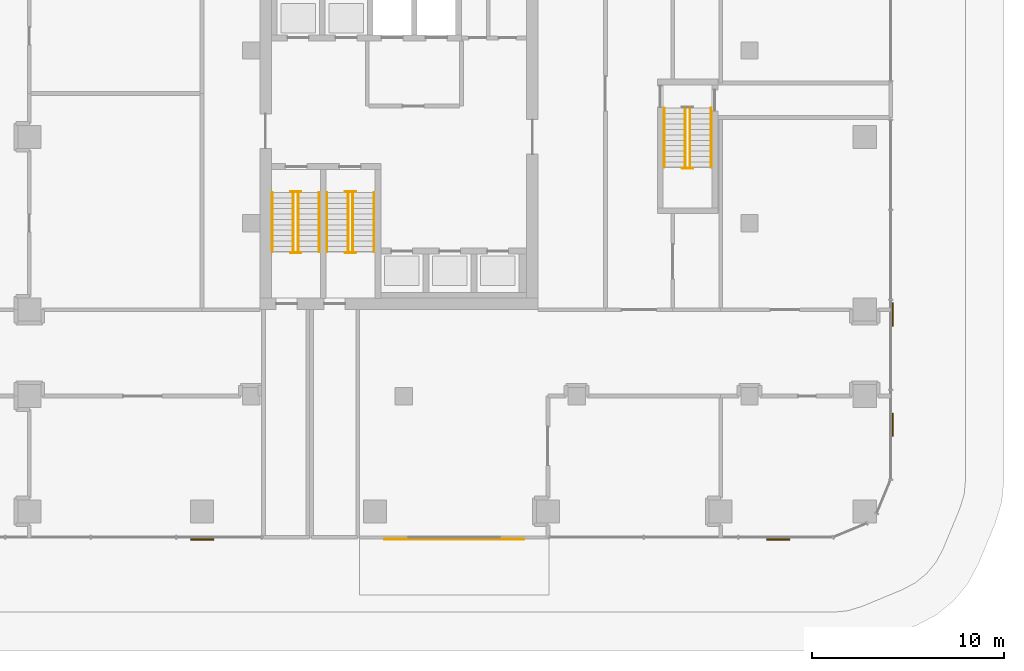
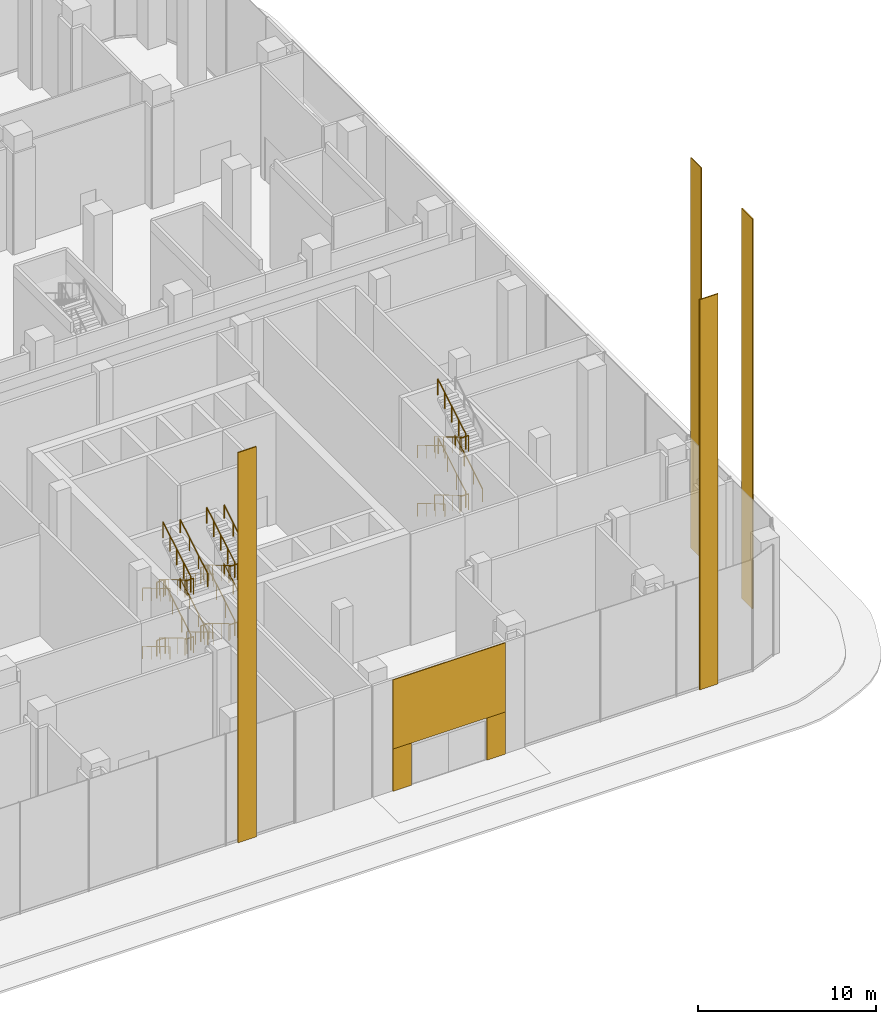
# One storey, part 35 of 42: 33 railings, 7 coverings.
"""IFC4 building model written with IfcOpenShell, lengths in metres."""

from ifc_helpers import new_model, si_unit, direction, frame, origin, origin_2d, place, context, subcontext, project, spatial, rectangle, circle, extrude, material, layer, layer_set, type_object, element, save


model = new_model("IFC4")

# Units and contexts
model_context = context("Model", 3, precision=1e-05, world=origin(), true_north=direction((0.0, 1.0)))
body_context = subcontext(model_context, "Body", "Model", "MODEL_VIEW")
ifc_project = project(units=[si_unit("LENGTHUNIT", "METRE"), si_unit("AREAUNIT", "SQUARE_METRE"), si_unit("VOLUMEUNIT", "CUBIC_METRE"), si_unit("PLANEANGLEUNIT", "RADIAN"), si_unit("MASSUNIT", "GRAM", prefix="KILO")], contexts=[model_context])

# Site, building, storey
site_placement = place(None, origin())
site = spatial("IfcSite", under=ifc_project, at=site_placement, CompositionType="ELEMENT")
building_placement = place(site_placement, origin())
building = spatial("IfcBuilding", under=site, at=building_placement, Name="Plateau Cross Towers", CompositionType="ELEMENT")
storey_placement = place(building_placement, origin())
storey = spatial("IfcBuildingStorey", under=building, at=storey_placement, Name="L00", CompositionType="ELEMENT", Elevation=0.0)

# Coverings
ifc_material_1 = material(Name="Aluminium composite cladding", Category="aluminium")
ifc_layer_1 = layer(ifc_material_1, 0.050048828125)
ifc_layer_set_1 = layer_set([ifc_layer_1], Name="Aluminium composite cladding")
covering_type_1 = type_object("IfcCoveringType", Name="Entrance surround board 50", PredefinedType="CLADDING", material=ifc_layer_set_1)
covering_placement = place(storey_placement, frame((85.1298828125, -11.955078125, 2.89990234375), z_axis=(0.0, 0.0, 1.0), x_axis=(1.0, 0.0, 0.0)))
element("IfcCovering", 1, at=covering_placement, inside=storey, type_object=covering_type_1, Name="Entrance lobby-B head fascia", PredefinedType="CLADDING", context=body_context, shape_type="SweptSolid", body=[
    extrude(rectangle(XDim=7.300048828125, YDim=0.050048828125, at=origin_2d()), origin(), (0.0, 0.0, 1.0), 4.75),
])
for number, where, z_axis, x_axis, name in (
    (2, (82.080078125, -11.955078125, 0.0), (0.0, 0.0, 1.0), (1.0, 0.0, 0.0), "Entrance lobby-B pier"),
    (3, (88.179931640625, -11.955078125, 0.0), (0.0, 0.0, 1.0), (1.0, 0.0, 0.0), "Entrance lobby-B pier"),
):
    element("IfcCovering", number, at=place(storey_placement, frame(where, z_axis=z_axis, x_axis=x_axis)), inside=storey, type_object=covering_type_1, Name=name, PredefinedType="CLADDING", context=body_context, shape_type="SweptSolid", body=[
        extrude(rectangle(XDim=1.199951171875, YDim=0.050048828125, at=origin_2d()), origin(), (0.0, 0.0, 1.0), 2.89990234375),
    ])
ifc_layer_2 = layer(ifc_material_1, 0.070068359375)
ifc_layer_set_2 = layer_set([ifc_layer_2], Name="Aluminium composite cladding")
covering_type_2 = type_object("IfcCoveringType", Name="Podium pier cladding 1200", PredefinedType="CLADDING", material=ifc_layer_set_2)
for number, where, z_axis, x_axis, name in (
    (4, (107.9599609375, -6.0, 0.0), (0.0, 0.0, 1.0), (0.0, 1.0, 0.0), "Podium pier E1"),
    (5, (107.9599609375, -0.25, 0.0), (0.0, 0.0, 1.0), (0.0, 1.0, 0.0), "Podium pier E2"),
    (6, (72.0, -11.9599609375, 0.0), (0.0, 0.0, 1.0), (1.0, 0.0, 0.0), "Podium pier S5"),
    (7, (102.0, -11.9599609375, 0.0), (0.0, 0.0, 1.0), (1.0, 0.0, 0.0), "Podium pier S7"),
):
    element("IfcCovering", number, at=place(storey_placement, frame(where, z_axis=z_axis, x_axis=x_axis)), inside=storey, type_object=covering_type_2, Name=name, PredefinedType="CLADDING", context=body_context, shape_type="SweptSolid", body=[
        extrude(rectangle(XDim=1.199951171875, YDim=0.070068359375, at=origin_2d()), origin(), (0.0, 0.0, 1.0), 26.800048828125),
    ])

# Railings
ifc_material_2 = material(Name="Stainless steel and toughened glass", Category="steel")
railing_type_1 = type_object("IfcRailingType", Name="RL-GUARD-1100", PredefinedType="GUARDRAIL", material=ifc_material_2)
railing_1_placement = place(storey_placement, frame((76.75, 6.10009765625, 0.166748046875)))
element("IfcRailing", 8, at=railing_1_placement, inside=storey, type_object=railing_type_1, Name="L00 SB-1 stair guard 1", PredefinedType="GUARDRAIL", context=body_context, shape_type="SweptSolid", body=[
    extrude(circle(Radius=0.02392578125, at=origin_2d()), frame((0.0, 0.0, 1.076171875), z_axis=(0.0, -0.859308565015, 0.511457515432), x_axis=(1.0, 0.0, 0.0)), (0.0, 0.0, 1.0), 3.58447265625),
    extrude(circle(Radius=0.02099609375, at=origin_2d()), origin(), (0.0, 0.0, 1.0), 1.052001953125),
    extrude(circle(Radius=0.02099609375, at=origin_2d()), frame((0.0, -1.026611328125, 0.611083984375)), (0.0, 0.0, 1.0), 1.052001953125),
    extrude(circle(Radius=0.02099609375, at=origin_2d()), frame((0.0, -2.053466796875, 1.22216796875)), (0.0, 0.0, 1.0), 1.052001953125),
    extrude(circle(Radius=0.02099609375, at=origin_2d()), frame((0.0, -3.080078125, 1.833251953125)), (0.0, 0.0, 1.0), 1.052001953125),
])
railing_2_placement = place(storey_placement, frame((76.60009765625, 2.969970703125, 2.0)))
element("IfcRailing", 9, at=railing_2_placement, inside=storey, type_object=railing_type_1, Name="L00 SB-1 stair guard 2", PredefinedType="GUARDRAIL", context=body_context, shape_type="SweptSolid", body=[
    extrude(circle(Radius=0.02392578125, at=origin_2d()), frame((0.0, 0.0, 1.076171875), z_axis=(1.0, 0.0, 0.0), x_axis=(0.0, 1.0, 0.0)), (0.0, 0.0, 1.0), 0.5498046875),
    extrude(circle(Radius=0.02099609375, at=origin_2d()), origin(), (0.0, 0.0, 1.0), 1.052001953125),
    extrude(circle(Radius=0.02099609375, at=origin_2d()), frame((0.5498046875, 0.0, 0.0)), (0.0, 0.0, 1.0), 1.052001953125),
])
railing_3_placement = place(storey_placement, frame((77.0, 3.02001953125, 2.166748046875)))
element("IfcRailing", 10, at=railing_3_placement, inside=storey, type_object=railing_type_1, Name="L00 SB-1 stair guard 3", PredefinedType="GUARDRAIL", context=body_context, shape_type="SweptSolid", body=[
    extrude(circle(Radius=0.02392578125, at=origin_2d()), frame((0.0, 0.0, 1.076171875), z_axis=(0.0, 0.859308565015, 0.511457515432), x_axis=(-1.0, 0.0, 0.0)), (0.0, 0.0, 1.0), 3.58447265625),
    extrude(circle(Radius=0.02099609375, at=origin_2d()), origin(), (0.0, 0.0, 1.0), 1.052001953125),
    extrude(circle(Radius=0.02099609375, at=origin_2d()), frame((0.0, 1.026611328125, 0.611083984375)), (0.0, 0.0, 1.0), 1.052001953125),
    extrude(circle(Radius=0.02099609375, at=origin_2d()), frame((0.0, 2.053466796875, 1.22216796875)), (0.0, 0.0, 1.0), 1.052001953125),
    extrude(circle(Radius=0.02099609375, at=origin_2d()), frame((0.0, 3.080078125, 1.833251953125)), (0.0, 0.0, 1.0), 1.052001953125),
])
railing_4_placement = place(storey_placement, frame((76.60009765625, 6.14990234375, 4.0)))
element("IfcRailing", 11, at=railing_4_placement, inside=storey, type_object=railing_type_1, Name="L00 SB-1 stair guard 4", PredefinedType="GUARDRAIL", context=body_context, shape_type="SweptSolid", body=[
    extrude(circle(Radius=0.02392578125, at=origin_2d()), frame((0.0, 0.0, 1.076171875), z_axis=(1.0, 0.0, 0.0), x_axis=(0.0, 1.0, 0.0)), (0.0, 0.0, 1.0), 0.5498046875),
    extrude(circle(Radius=0.02099609375, at=origin_2d()), origin(), (0.0, 0.0, 1.0), 1.052001953125),
    extrude(circle(Radius=0.02099609375, at=origin_2d()), frame((0.5498046875, 0.0, 0.0)), (0.0, 0.0, 1.0), 1.052001953125),
])
railing_5_placement = place(storey_placement, frame((76.75, 6.10009765625, 4.166748046875)))
element("IfcRailing", 12, at=railing_5_placement, inside=storey, type_object=railing_type_1, Name="L00 SB-1 stair guard 5", PredefinedType="GUARDRAIL", context=body_context, shape_type="SweptSolid", body=[
    extrude(circle(Radius=0.02392578125, at=origin_2d()), frame((0.0, 0.0, 1.076171875), z_axis=(0.0, -0.859308565015, 0.511457515432), x_axis=(1.0, 0.0, 0.0)), (0.0, 0.0, 1.0), 3.58447265625),
    extrude(circle(Radius=0.02099609375, at=origin_2d()), origin(), (0.0, 0.0, 1.0), 1.052001953125),
    extrude(circle(Radius=0.02099609375, at=origin_2d()), frame((0.0, -1.026611328125, 0.611083984375)), (0.0, 0.0, 1.0), 1.052001953125),
    extrude(circle(Radius=0.02099609375, at=origin_2d()), frame((0.0, -2.053466796875, 1.22216796875)), (0.0, 0.0, 1.0), 1.052001953125),
    extrude(circle(Radius=0.02099609375, at=origin_2d()), frame((0.0, -3.080078125, 1.833251953125)), (0.0, 0.0, 1.0), 1.052001953125),
])
railing_6_placement = place(storey_placement, frame((76.60009765625, 2.969970703125, 6.0)))
element("IfcRailing", 13, at=railing_6_placement, inside=storey, type_object=railing_type_1, Name="L00 SB-1 stair guard 6", PredefinedType="GUARDRAIL", context=body_context, shape_type="SweptSolid", body=[
    extrude(circle(Radius=0.02392578125, at=origin_2d()), frame((0.0, 0.0, 1.076171875), z_axis=(1.0, 0.0, 0.0), x_axis=(0.0, 1.0, 0.0)), (0.0, 0.0, 1.0), 0.5498046875),
    extrude(circle(Radius=0.02099609375, at=origin_2d()), origin(), (0.0, 0.0, 1.0), 1.052001953125),
    extrude(circle(Radius=0.02099609375, at=origin_2d()), frame((0.5498046875, 0.0, 0.0)), (0.0, 0.0, 1.0), 1.052001953125),
])
railing_7_placement = place(storey_placement, frame((77.0, 3.02001953125, 6.166748046875)))
element("IfcRailing", 14, at=railing_7_placement, inside=storey, type_object=railing_type_1, Name="L00 SB-1 stair guard 7", PredefinedType="GUARDRAIL", context=body_context, shape_type="SweptSolid", body=[
    extrude(circle(Radius=0.02392578125, at=origin_2d()), frame((0.0, 0.0, 1.076171875), z_axis=(0.0, 0.862879167799, 0.505410270749), x_axis=(-1.0, 0.0, 0.0)), (0.0, 0.0, 1.0), 3.627197265625),
    extrude(circle(Radius=0.02099609375, at=origin_2d()), origin(), (0.0, 0.0, 1.0), 1.052001953125),
    extrude(circle(Radius=0.02099609375, at=origin_2d()), frame((0.0, 0.782470703125, 0.458251953125)), (0.0, 0.0, 1.0), 1.052001953125),
    extrude(circle(Radius=0.02099609375, at=origin_2d()), frame((0.0, 1.56494140625, 0.91650390625)), (0.0, 0.0, 1.0), 1.052001953125),
    extrude(circle(Radius=0.02099609375, at=origin_2d()), frame((0.0, 2.347412109375, 1.375)), (0.0, 0.0, 1.0), 1.052001953125),
    extrude(circle(Radius=0.02099609375, at=origin_2d()), frame((0.0, 3.1298828125, 1.833251953125)), (0.0, 0.0, 1.0), 1.052001953125),
])
railing_8_placement = place(storey_placement, frame((76.60009765625, 6.14990234375, 0.0)))
element("IfcRailing", 15, at=railing_8_placement, inside=storey, type_object=railing_type_1, Name="L00 SB-1 stair guard 8", PredefinedType="GUARDRAIL", context=body_context, shape_type="SweptSolid", body=[
    extrude(circle(Radius=0.02392578125, at=origin_2d()), frame((0.0, 0.0, 1.076171875), z_axis=(1.0, 0.0, 0.0), x_axis=(0.0, 1.0, 0.0)), (0.0, 0.0, 1.0), 0.5498046875),
    extrude(circle(Radius=0.02099609375, at=origin_2d()), origin(), (0.0, 0.0, 1.0), 1.052001953125),
    extrude(circle(Radius=0.02099609375, at=origin_2d()), frame((0.5498046875, 0.0, 0.0)), (0.0, 0.0, 1.0), 1.052001953125),
])
railing_9_placement = place(storey_placement, frame((79.60009765625, 6.10009765625, 0.166748046875)))
element("IfcRailing", 16, at=railing_9_placement, inside=storey, type_object=railing_type_1, Name="L00 SB-2 stair guard 1", PredefinedType="GUARDRAIL", context=body_context, shape_type="SweptSolid", body=[
    extrude(circle(Radius=0.02392578125, at=origin_2d()), frame((0.0, 0.0, 1.076171875), z_axis=(0.0, -0.859308565015, 0.511457515432), x_axis=(1.0, 0.0, 0.0)), (0.0, 0.0, 1.0), 3.58447265625),
    extrude(circle(Radius=0.02099609375, at=origin_2d()), origin(), (0.0, 0.0, 1.0), 1.052001953125),
    extrude(circle(Radius=0.02099609375, at=origin_2d()), frame((0.0, -1.026611328125, 0.611083984375)), (0.0, 0.0, 1.0), 1.052001953125),
    extrude(circle(Radius=0.02099609375, at=origin_2d()), frame((0.0, -2.053466796875, 1.22216796875)), (0.0, 0.0, 1.0), 1.052001953125),
    extrude(circle(Radius=0.02099609375, at=origin_2d()), frame((0.0, -3.080078125, 1.833251953125)), (0.0, 0.0, 1.0), 1.052001953125),
])
railing_10_placement = place(storey_placement, frame((79.449951171875, 2.969970703125, 2.0)))
element("IfcRailing", 17, at=railing_10_placement, inside=storey, type_object=railing_type_1, Name="L00 SB-2 stair guard 2", PredefinedType="GUARDRAIL", context=body_context, shape_type="SweptSolid", body=[
    extrude(circle(Radius=0.02392578125, at=origin_2d()), frame((0.0, 0.0, 1.076171875), z_axis=(1.0, 0.0, 0.0), x_axis=(0.0, 1.0, 0.0)), (0.0, 0.0, 1.0), 0.550048828125),
    extrude(circle(Radius=0.02099609375, at=origin_2d()), origin(), (0.0, 0.0, 1.0), 1.052001953125),
    extrude(circle(Radius=0.02099609375, at=origin_2d()), frame((0.550048828125, 0.0, 0.0)), (0.0, 0.0, 1.0), 1.052001953125),
])
railing_11_placement = place(storey_placement, frame((79.85009765625, 3.02001953125, 2.166748046875)))
element("IfcRailing", 18, at=railing_11_placement, inside=storey, type_object=railing_type_1, Name="L00 SB-2 stair guard 3", PredefinedType="GUARDRAIL", context=body_context, shape_type="SweptSolid", body=[
    extrude(circle(Radius=0.02392578125, at=origin_2d()), frame((0.0, 0.0, 1.076171875), z_axis=(0.0, 0.859308565015, 0.511457515432), x_axis=(-1.0, 0.0, 0.0)), (0.0, 0.0, 1.0), 3.58447265625),
    extrude(circle(Radius=0.02099609375, at=origin_2d()), origin(), (0.0, 0.0, 1.0), 1.052001953125),
    extrude(circle(Radius=0.02099609375, at=origin_2d()), frame((0.0, 1.026611328125, 0.611083984375)), (0.0, 0.0, 1.0), 1.052001953125),
    extrude(circle(Radius=0.02099609375, at=origin_2d()), frame((0.0, 2.053466796875, 1.22216796875)), (0.0, 0.0, 1.0), 1.052001953125),
    extrude(circle(Radius=0.02099609375, at=origin_2d()), frame((0.0, 3.080078125, 1.833251953125)), (0.0, 0.0, 1.0), 1.052001953125),
])
railing_12_placement = place(storey_placement, frame((79.449951171875, 6.14990234375, 4.0)))
element("IfcRailing", 19, at=railing_12_placement, inside=storey, type_object=railing_type_1, Name="L00 SB-2 stair guard 4", PredefinedType="GUARDRAIL", context=body_context, shape_type="SweptSolid", body=[
    extrude(circle(Radius=0.02392578125, at=origin_2d()), frame((0.0, 0.0, 1.076171875), z_axis=(1.0, 0.0, 0.0), x_axis=(0.0, 1.0, 0.0)), (0.0, 0.0, 1.0), 0.550048828125),
    extrude(circle(Radius=0.02099609375, at=origin_2d()), origin(), (0.0, 0.0, 1.0), 1.052001953125),
    extrude(circle(Radius=0.02099609375, at=origin_2d()), frame((0.550048828125, 0.0, 0.0)), (0.0, 0.0, 1.0), 1.052001953125),
])
railing_13_placement = place(storey_placement, frame((79.60009765625, 6.10009765625, 4.166748046875)))
element("IfcRailing", 20, at=railing_13_placement, inside=storey, type_object=railing_type_1, Name="L00 SB-2 stair guard 5", PredefinedType="GUARDRAIL", context=body_context, shape_type="SweptSolid", body=[
    extrude(circle(Radius=0.02392578125, at=origin_2d()), frame((0.0, 0.0, 1.076171875), z_axis=(0.0, -0.859308565015, 0.511457515432), x_axis=(1.0, 0.0, 0.0)), (0.0, 0.0, 1.0), 3.58447265625),
    extrude(circle(Radius=0.02099609375, at=origin_2d()), origin(), (0.0, 0.0, 1.0), 1.052001953125),
    extrude(circle(Radius=0.02099609375, at=origin_2d()), frame((0.0, -1.026611328125, 0.611083984375)), (0.0, 0.0, 1.0), 1.052001953125),
    extrude(circle(Radius=0.02099609375, at=origin_2d()), frame((0.0, -2.053466796875, 1.22216796875)), (0.0, 0.0, 1.0), 1.052001953125),
    extrude(circle(Radius=0.02099609375, at=origin_2d()), frame((0.0, -3.080078125, 1.833251953125)), (0.0, 0.0, 1.0), 1.052001953125),
])
railing_14_placement = place(storey_placement, frame((79.449951171875, 2.969970703125, 6.0)))
element("IfcRailing", 21, at=railing_14_placement, inside=storey, type_object=railing_type_1, Name="L00 SB-2 stair guard 6", PredefinedType="GUARDRAIL", context=body_context, shape_type="SweptSolid", body=[
    extrude(circle(Radius=0.02392578125, at=origin_2d()), frame((0.0, 0.0, 1.076171875), z_axis=(1.0, 0.0, 0.0), x_axis=(0.0, 1.0, 0.0)), (0.0, 0.0, 1.0), 0.550048828125),
    extrude(circle(Radius=0.02099609375, at=origin_2d()), origin(), (0.0, 0.0, 1.0), 1.052001953125),
    extrude(circle(Radius=0.02099609375, at=origin_2d()), frame((0.550048828125, 0.0, 0.0)), (0.0, 0.0, 1.0), 1.052001953125),
])
railing_15_placement = place(storey_placement, frame((79.85009765625, 3.02001953125, 6.166748046875)))
element("IfcRailing", 22, at=railing_15_placement, inside=storey, type_object=railing_type_1, Name="L00 SB-2 stair guard 7", PredefinedType="GUARDRAIL", context=body_context, shape_type="SweptSolid", body=[
    extrude(circle(Radius=0.02392578125, at=origin_2d()), frame((0.0, 0.0, 1.076171875), z_axis=(0.0, 0.862879167799, 0.505410270749), x_axis=(-1.0, 0.0, 0.0)), (0.0, 0.0, 1.0), 3.627197265625),
    extrude(circle(Radius=0.02099609375, at=origin_2d()), origin(), (0.0, 0.0, 1.0), 1.052001953125),
    extrude(circle(Radius=0.02099609375, at=origin_2d()), frame((0.0, 0.782470703125, 0.458251953125)), (0.0, 0.0, 1.0), 1.052001953125),
    extrude(circle(Radius=0.02099609375, at=origin_2d()), frame((0.0, 1.56494140625, 0.91650390625)), (0.0, 0.0, 1.0), 1.052001953125),
    extrude(circle(Radius=0.02099609375, at=origin_2d()), frame((0.0, 2.347412109375, 1.375)), (0.0, 0.0, 1.0), 1.052001953125),
    extrude(circle(Radius=0.02099609375, at=origin_2d()), frame((0.0, 3.1298828125, 1.833251953125)), (0.0, 0.0, 1.0), 1.052001953125),
])
railing_16_placement = place(storey_placement, frame((79.449951171875, 6.14990234375, 0.0)))
element("IfcRailing", 23, at=railing_16_placement, inside=storey, type_object=railing_type_1, Name="L00 SB-2 stair guard 8", PredefinedType="GUARDRAIL", context=body_context, shape_type="SweptSolid", body=[
    extrude(circle(Radius=0.02392578125, at=origin_2d()), frame((0.0, 0.0, 1.076171875), z_axis=(1.0, 0.0, 0.0), x_axis=(0.0, 1.0, 0.0)), (0.0, 0.0, 1.0), 0.550048828125),
    extrude(circle(Radius=0.02099609375, at=origin_2d()), origin(), (0.0, 0.0, 1.0), 1.052001953125),
    extrude(circle(Radius=0.02099609375, at=origin_2d()), frame((0.550048828125, 0.0, 0.0)), (0.0, 0.0, 1.0), 1.052001953125),
])
railing_17_placement = place(storey_placement, frame((97.14990234375, 10.5, 0.166748046875)))
element("IfcRailing", 24, at=railing_17_placement, inside=storey, type_object=railing_type_1, Name="L00 SB-3 stair guard 1", PredefinedType="GUARDRAIL", context=body_context, shape_type="SweptSolid", body=[
    extrude(circle(Radius=0.02392578125, at=origin_2d()), frame((0.0, 0.0, 1.076171875), z_axis=(0.0, -0.859308565015, 0.511457515432), x_axis=(1.0, 0.0, 0.0)), (0.0, 0.0, 1.0), 3.58447265625),
    extrude(circle(Radius=0.02099609375, at=origin_2d()), origin(), (0.0, 0.0, 1.0), 1.052001953125),
    extrude(circle(Radius=0.02099609375, at=origin_2d()), frame((0.0, -1.026611328125, 0.611083984375)), (0.0, 0.0, 1.0), 1.052001953125),
    extrude(circle(Radius=0.02099609375, at=origin_2d()), frame((0.0, -2.053466796875, 1.22216796875)), (0.0, 0.0, 1.0), 1.052001953125),
    extrude(circle(Radius=0.02099609375, at=origin_2d()), frame((0.0, -3.080078125, 1.833251953125)), (0.0, 0.0, 1.0), 1.052001953125),
])
railing_18_placement = place(storey_placement, frame((97.0, 7.3701171875, 2.0)))
element("IfcRailing", 25, at=railing_18_placement, inside=storey, type_object=railing_type_1, Name="L00 SB-3 stair guard 2", PredefinedType="GUARDRAIL", context=body_context, shape_type="SweptSolid", body=[
    extrude(circle(Radius=0.02392578125, at=origin_2d()), frame((0.0, 0.0, 1.076171875), z_axis=(1.0, 0.0, 0.0), x_axis=(0.0, 1.0, 0.0)), (0.0, 0.0, 1.0), 0.550048828125),
    extrude(circle(Radius=0.02099609375, at=origin_2d()), origin(), (0.0, 0.0, 1.0), 1.052001953125),
    extrude(circle(Radius=0.02099609375, at=origin_2d()), frame((0.550048828125, 0.0, 0.0)), (0.0, 0.0, 1.0), 1.052001953125),
])
railing_19_placement = place(storey_placement, frame((97.39990234375, 7.419921875, 2.166748046875)))
element("IfcRailing", 26, at=railing_19_placement, inside=storey, type_object=railing_type_1, Name="L00 SB-3 stair guard 3", PredefinedType="GUARDRAIL", context=body_context, shape_type="SweptSolid", body=[
    extrude(circle(Radius=0.02392578125, at=origin_2d()), frame((0.0, 0.0, 1.076171875), z_axis=(0.0, 0.859308565015, 0.511457515432), x_axis=(-1.0, 0.0, 0.0)), (0.0, 0.0, 1.0), 3.58447265625),
    extrude(circle(Radius=0.02099609375, at=origin_2d()), origin(), (0.0, 0.0, 1.0), 1.052001953125),
    extrude(circle(Radius=0.02099609375, at=origin_2d()), frame((0.0, 1.026611328125, 0.611083984375)), (0.0, 0.0, 1.0), 1.052001953125),
    extrude(circle(Radius=0.02099609375, at=origin_2d()), frame((0.0, 2.053466796875, 1.22216796875)), (0.0, 0.0, 1.0), 1.052001953125),
    extrude(circle(Radius=0.02099609375, at=origin_2d()), frame((0.0, 3.080078125, 1.833251953125)), (0.0, 0.0, 1.0), 1.052001953125),
])
railing_20_placement = place(storey_placement, frame((97.14990234375, 10.5, 4.166748046875)))
element("IfcRailing", 27, at=railing_20_placement, inside=storey, type_object=railing_type_1, Name="L00 SB-3 stair guard 5", PredefinedType="GUARDRAIL", context=body_context, shape_type="SweptSolid", body=[
    extrude(circle(Radius=0.02392578125, at=origin_2d()), frame((0.0, 0.0, 1.076171875), z_axis=(0.0, -0.859308565015, 0.511457515432), x_axis=(1.0, 0.0, 0.0)), (0.0, 0.0, 1.0), 3.58447265625),
    extrude(circle(Radius=0.02099609375, at=origin_2d()), origin(), (0.0, 0.0, 1.0), 1.052001953125),
    extrude(circle(Radius=0.02099609375, at=origin_2d()), frame((0.0, -1.026611328125, 0.611083984375)), (0.0, 0.0, 1.0), 1.052001953125),
    extrude(circle(Radius=0.02099609375, at=origin_2d()), frame((0.0, -2.053466796875, 1.22216796875)), (0.0, 0.0, 1.0), 1.052001953125),
    extrude(circle(Radius=0.02099609375, at=origin_2d()), frame((0.0, -3.080078125, 1.833251953125)), (0.0, 0.0, 1.0), 1.052001953125),
])
railing_21_placement = place(storey_placement, frame((97.0, 7.3701171875, 6.0)))
element("IfcRailing", 28, at=railing_21_placement, inside=storey, type_object=railing_type_1, Name="L00 SB-3 stair guard 6", PredefinedType="GUARDRAIL", context=body_context, shape_type="SweptSolid", body=[
    extrude(circle(Radius=0.02392578125, at=origin_2d()), frame((0.0, 0.0, 1.076171875), z_axis=(1.0, 0.0, 0.0), x_axis=(0.0, 1.0, 0.0)), (0.0, 0.0, 1.0), 0.550048828125),
    extrude(circle(Radius=0.02099609375, at=origin_2d()), origin(), (0.0, 0.0, 1.0), 1.052001953125),
    extrude(circle(Radius=0.02099609375, at=origin_2d()), frame((0.550048828125, 0.0, 0.0)), (0.0, 0.0, 1.0), 1.052001953125),
])
railing_22_placement = place(storey_placement, frame((97.39990234375, 7.419921875, 6.166748046875)))
element("IfcRailing", 29, at=railing_22_placement, inside=storey, type_object=railing_type_1, Name="L00 SB-3 stair guard 7", PredefinedType="GUARDRAIL", context=body_context, shape_type="SweptSolid", body=[
    extrude(circle(Radius=0.02392578125, at=origin_2d()), frame((0.0, 0.0, 1.076171875), z_axis=(0.0, 0.862896359239, 0.505380918924), x_axis=(-1.0, 0.0, 0.0)), (0.0, 0.0, 1.0), 3.62744140625),
    extrude(circle(Radius=0.02099609375, at=origin_2d()), origin(), (0.0, 0.0, 1.0), 1.052001953125),
    extrude(circle(Radius=0.02099609375, at=origin_2d()), frame((0.0, 0.782470703125, 0.458251953125)), (0.0, 0.0, 1.0), 1.052001953125),
    extrude(circle(Radius=0.02099609375, at=origin_2d()), frame((0.0, 1.56494140625, 0.91650390625)), (0.0, 0.0, 1.0), 1.052001953125),
    extrude(circle(Radius=0.02099609375, at=origin_2d()), frame((0.0, 2.34765625, 1.375)), (0.0, 0.0, 1.0), 1.052001953125),
    extrude(circle(Radius=0.02099609375, at=origin_2d()), frame((0.0, 3.130126953125, 1.833251953125)), (0.0, 0.0, 1.0), 1.052001953125),
])
ifc_material_3 = material(Name="Black anodised aluminium", Category="aluminium")
railing_type_2 = type_object("IfcRailingType", Name="RL-HANDRAIL-900", PredefinedType="HANDRAIL", material=ifc_material_3)
railing_23_placement = place(storey_placement, frame((75.64990234375, 6.10009765625, 0.166748046875)))
element("IfcRailing", 30, at=railing_23_placement, inside=storey, type_object=railing_type_2, Name="L00 SB-1 stair handrail 1", PredefinedType="HANDRAIL", context=body_context, shape_type="SweptSolid", body=[
    extrude(circle(Radius=0.02392578125, at=origin_2d()), frame((0.0, 0.0, 0.8759765625), z_axis=(0.0, -0.859308565015, 0.511457515432), x_axis=(1.0, 0.0, 0.0)), (0.0, 0.0, 1.0), 3.58447265625),
    extrude(circle(Radius=0.02099609375, at=origin_2d()), origin(), (0.0, 0.0, 1.0), 0.851806640625),
    extrude(circle(Radius=0.02099609375, at=origin_2d()), frame((0.0, -1.026611328125, 0.611083984375)), (0.0, 0.0, 1.0), 0.851806640625),
    extrude(circle(Radius=0.02099609375, at=origin_2d()), frame((0.0, -2.053466796875, 1.22216796875)), (0.0, 0.0, 1.0), 0.851806640625),
    extrude(circle(Radius=0.02099609375, at=origin_2d()), frame((0.0, -3.080078125, 1.833251953125)), (0.0, 0.0, 1.0), 0.851806640625),
])
railing_24_placement = place(storey_placement, frame((78.10009765625, 3.02001953125, 2.166748046875)))
element("IfcRailing", 31, at=railing_24_placement, inside=storey, type_object=railing_type_2, Name="L00 SB-1 stair handrail 2", PredefinedType="HANDRAIL", context=body_context, shape_type="SweptSolid", body=[
    extrude(circle(Radius=0.02392578125, at=origin_2d()), frame((0.0, 0.0, 0.8759765625), z_axis=(0.0, 0.859308565015, 0.511457515432), x_axis=(-1.0, 0.0, 0.0)), (0.0, 0.0, 1.0), 3.58447265625),
    extrude(circle(Radius=0.02099609375, at=origin_2d()), origin(), (0.0, 0.0, 1.0), 0.851806640625),
    extrude(circle(Radius=0.02099609375, at=origin_2d()), frame((0.0, 1.026611328125, 0.611083984375)), (0.0, 0.0, 1.0), 0.851806640625),
    extrude(circle(Radius=0.02099609375, at=origin_2d()), frame((0.0, 2.053466796875, 1.22216796875)), (0.0, 0.0, 1.0), 0.851806640625),
    extrude(circle(Radius=0.02099609375, at=origin_2d()), frame((0.0, 3.080078125, 1.833251953125)), (0.0, 0.0, 1.0), 0.851806640625),
])
railing_25_placement = place(storey_placement, frame((75.64990234375, 6.10009765625, 4.166748046875)))
element("IfcRailing", 32, at=railing_25_placement, inside=storey, type_object=railing_type_2, Name="L00 SB-1 stair handrail 3", PredefinedType="HANDRAIL", context=body_context, shape_type="SweptSolid", body=[
    extrude(circle(Radius=0.02392578125, at=origin_2d()), frame((0.0, 0.0, 0.8759765625), z_axis=(0.0, -0.859308565015, 0.511457515432), x_axis=(1.0, 0.0, 0.0)), (0.0, 0.0, 1.0), 3.58447265625),
    extrude(circle(Radius=0.02099609375, at=origin_2d()), origin(), (0.0, 0.0, 1.0), 0.851806640625),
    extrude(circle(Radius=0.02099609375, at=origin_2d()), frame((0.0, -1.026611328125, 0.611083984375)), (0.0, 0.0, 1.0), 0.851806640625),
    extrude(circle(Radius=0.02099609375, at=origin_2d()), frame((0.0, -2.053466796875, 1.22216796875)), (0.0, 0.0, 1.0), 0.851806640625),
    extrude(circle(Radius=0.02099609375, at=origin_2d()), frame((0.0, -3.080078125, 1.833251953125)), (0.0, 0.0, 1.0), 0.851806640625),
])
railing_26_placement = place(storey_placement, frame((78.10009765625, 3.02001953125, 6.166748046875)))
element("IfcRailing", 33, at=railing_26_placement, inside=storey, type_object=railing_type_2, Name="L00 SB-1 stair handrail 4", PredefinedType="HANDRAIL", context=body_context, shape_type="SweptSolid", body=[
    extrude(circle(Radius=0.02392578125, at=origin_2d()), frame((0.0, 0.0, 0.8759765625), z_axis=(0.0, 0.859308565015, 0.511457515432), x_axis=(-1.0, 0.0, 0.0)), (0.0, 0.0, 1.0), 3.58447265625),
    extrude(circle(Radius=0.02099609375, at=origin_2d()), origin(), (0.0, 0.0, 1.0), 0.851806640625),
    extrude(circle(Radius=0.02099609375, at=origin_2d()), frame((0.0, 1.026611328125, 0.611083984375)), (0.0, 0.0, 1.0), 0.851806640625),
    extrude(circle(Radius=0.02099609375, at=origin_2d()), frame((0.0, 2.053466796875, 1.22216796875)), (0.0, 0.0, 1.0), 0.851806640625),
    extrude(circle(Radius=0.02099609375, at=origin_2d()), frame((0.0, 3.080078125, 1.833251953125)), (0.0, 0.0, 1.0), 0.851806640625),
])
railing_27_placement = place(storey_placement, frame((78.5, 6.10009765625, 0.166748046875)))
element("IfcRailing", 34, at=railing_27_placement, inside=storey, type_object=railing_type_2, Name="L00 SB-2 stair handrail 1", PredefinedType="HANDRAIL", context=body_context, shape_type="SweptSolid", body=[
    extrude(circle(Radius=0.02392578125, at=origin_2d()), frame((0.0, 0.0, 0.8759765625), z_axis=(0.0, -0.859308565015, 0.511457515432), x_axis=(1.0, 0.0, 0.0)), (0.0, 0.0, 1.0), 3.58447265625),
    extrude(circle(Radius=0.02099609375, at=origin_2d()), origin(), (0.0, 0.0, 1.0), 0.851806640625),
    extrude(circle(Radius=0.02099609375, at=origin_2d()), frame((0.0, -1.026611328125, 0.611083984375)), (0.0, 0.0, 1.0), 0.851806640625),
    extrude(circle(Radius=0.02099609375, at=origin_2d()), frame((0.0, -2.053466796875, 1.22216796875)), (0.0, 0.0, 1.0), 0.851806640625),
    extrude(circle(Radius=0.02099609375, at=origin_2d()), frame((0.0, -3.080078125, 1.833251953125)), (0.0, 0.0, 1.0), 0.851806640625),
])
railing_28_placement = place(storey_placement, frame((80.949951171875, 3.02001953125, 2.166748046875)))
element("IfcRailing", 35, at=railing_28_placement, inside=storey, type_object=railing_type_2, Name="L00 SB-2 stair handrail 2", PredefinedType="HANDRAIL", context=body_context, shape_type="SweptSolid", body=[
    extrude(circle(Radius=0.02392578125, at=origin_2d()), frame((0.0, 0.0, 0.8759765625), z_axis=(0.0, 0.859308565015, 0.511457515432), x_axis=(-1.0, 0.0, 0.0)), (0.0, 0.0, 1.0), 3.58447265625),
    extrude(circle(Radius=0.02099609375, at=origin_2d()), origin(), (0.0, 0.0, 1.0), 0.851806640625),
    extrude(circle(Radius=0.02099609375, at=origin_2d()), frame((0.0, 1.026611328125, 0.611083984375)), (0.0, 0.0, 1.0), 0.851806640625),
    extrude(circle(Radius=0.02099609375, at=origin_2d()), frame((0.0, 2.053466796875, 1.22216796875)), (0.0, 0.0, 1.0), 0.851806640625),
    extrude(circle(Radius=0.02099609375, at=origin_2d()), frame((0.0, 3.080078125, 1.833251953125)), (0.0, 0.0, 1.0), 0.851806640625),
])
railing_29_placement = place(storey_placement, frame((78.5, 6.10009765625, 4.166748046875)))
element("IfcRailing", 36, at=railing_29_placement, inside=storey, type_object=railing_type_2, Name="L00 SB-2 stair handrail 3", PredefinedType="HANDRAIL", context=body_context, shape_type="SweptSolid", body=[
    extrude(circle(Radius=0.02392578125, at=origin_2d()), frame((0.0, 0.0, 0.8759765625), z_axis=(0.0, -0.859308565015, 0.511457515432), x_axis=(1.0, 0.0, 0.0)), (0.0, 0.0, 1.0), 3.58447265625),
    extrude(circle(Radius=0.02099609375, at=origin_2d()), origin(), (0.0, 0.0, 1.0), 0.851806640625),
    extrude(circle(Radius=0.02099609375, at=origin_2d()), frame((0.0, -1.026611328125, 0.611083984375)), (0.0, 0.0, 1.0), 0.851806640625),
    extrude(circle(Radius=0.02099609375, at=origin_2d()), frame((0.0, -2.053466796875, 1.22216796875)), (0.0, 0.0, 1.0), 0.851806640625),
    extrude(circle(Radius=0.02099609375, at=origin_2d()), frame((0.0, -3.080078125, 1.833251953125)), (0.0, 0.0, 1.0), 0.851806640625),
])
railing_30_placement = place(storey_placement, frame((80.949951171875, 3.02001953125, 6.166748046875)))
element("IfcRailing", 37, at=railing_30_placement, inside=storey, type_object=railing_type_2, Name="L00 SB-2 stair handrail 4", PredefinedType="HANDRAIL", context=body_context, shape_type="SweptSolid", body=[
    extrude(circle(Radius=0.02392578125, at=origin_2d()), frame((0.0, 0.0, 0.8759765625), z_axis=(0.0, 0.859308565015, 0.511457515432), x_axis=(-1.0, 0.0, 0.0)), (0.0, 0.0, 1.0), 3.58447265625),
    extrude(circle(Radius=0.02099609375, at=origin_2d()), origin(), (0.0, 0.0, 1.0), 0.851806640625),
    extrude(circle(Radius=0.02099609375, at=origin_2d()), frame((0.0, 1.026611328125, 0.611083984375)), (0.0, 0.0, 1.0), 0.851806640625),
    extrude(circle(Radius=0.02099609375, at=origin_2d()), frame((0.0, 2.053466796875, 1.22216796875)), (0.0, 0.0, 1.0), 0.851806640625),
    extrude(circle(Radius=0.02099609375, at=origin_2d()), frame((0.0, 3.080078125, 1.833251953125)), (0.0, 0.0, 1.0), 0.851806640625),
])
railing_31_placement = place(storey_placement, frame((96.050048828125, 10.5, 0.166748046875)))
element("IfcRailing", 38, at=railing_31_placement, inside=storey, type_object=railing_type_2, Name="L00 SB-3 stair handrail 1", PredefinedType="HANDRAIL", context=body_context, shape_type="SweptSolid", body=[
    extrude(circle(Radius=0.02392578125, at=origin_2d()), frame((0.0, 0.0, 0.8759765625), z_axis=(0.0, -0.859308565015, 0.511457515432), x_axis=(1.0, 0.0, 0.0)), (0.0, 0.0, 1.0), 3.58447265625),
    extrude(circle(Radius=0.02099609375, at=origin_2d()), origin(), (0.0, 0.0, 1.0), 0.851806640625),
    extrude(circle(Radius=0.02099609375, at=origin_2d()), frame((0.0, -1.026611328125, 0.611083984375)), (0.0, 0.0, 1.0), 0.851806640625),
    extrude(circle(Radius=0.02099609375, at=origin_2d()), frame((0.0, -2.053466796875, 1.22216796875)), (0.0, 0.0, 1.0), 0.851806640625),
    extrude(circle(Radius=0.02099609375, at=origin_2d()), frame((0.0, -3.080078125, 1.833251953125)), (0.0, 0.0, 1.0), 0.851806640625),
])
railing_32_placement = place(storey_placement, frame((98.5, 7.419921875, 2.166748046875)))
element("IfcRailing", 39, at=railing_32_placement, inside=storey, type_object=railing_type_2, Name="L00 SB-3 stair handrail 2", PredefinedType="HANDRAIL", context=body_context, shape_type="SweptSolid", body=[
    extrude(circle(Radius=0.02392578125, at=origin_2d()), frame((0.0, 0.0, 0.8759765625), z_axis=(0.0, 0.859308565015, 0.511457515432), x_axis=(-1.0, 0.0, 0.0)), (0.0, 0.0, 1.0), 3.58447265625),
    extrude(circle(Radius=0.02099609375, at=origin_2d()), origin(), (0.0, 0.0, 1.0), 0.851806640625),
    extrude(circle(Radius=0.02099609375, at=origin_2d()), frame((0.0, 1.026611328125, 0.611083984375)), (0.0, 0.0, 1.0), 0.851806640625),
    extrude(circle(Radius=0.02099609375, at=origin_2d()), frame((0.0, 2.053466796875, 1.22216796875)), (0.0, 0.0, 1.0), 0.851806640625),
    extrude(circle(Radius=0.02099609375, at=origin_2d()), frame((0.0, 3.080078125, 1.833251953125)), (0.0, 0.0, 1.0), 0.851806640625),
])
railing_33_placement = place(storey_placement, frame((96.050048828125, 10.5, 4.166748046875)))
element("IfcRailing", 40, at=railing_33_placement, inside=storey, type_object=railing_type_2, Name="L00 SB-3 stair handrail 3", PredefinedType="HANDRAIL", context=body_context, shape_type="SweptSolid", body=[
    extrude(circle(Radius=0.02392578125, at=origin_2d()), frame((0.0, 0.0, 0.8759765625), z_axis=(0.0, -0.859308565015, 0.511457515432), x_axis=(1.0, 0.0, 0.0)), (0.0, 0.0, 1.0), 3.58447265625),
    extrude(circle(Radius=0.02099609375, at=origin_2d()), origin(), (0.0, 0.0, 1.0), 0.851806640625),
    extrude(circle(Radius=0.02099609375, at=origin_2d()), frame((0.0, -1.026611328125, 0.611083984375)), (0.0, 0.0, 1.0), 0.851806640625),
    extrude(circle(Radius=0.02099609375, at=origin_2d()), frame((0.0, -2.053466796875, 1.22216796875)), (0.0, 0.0, 1.0), 0.851806640625),
    extrude(circle(Radius=0.02099609375, at=origin_2d()), frame((0.0, -3.080078125, 1.833251953125)), (0.0, 0.0, 1.0), 0.851806640625),
])

save(model, "model.ifc")
